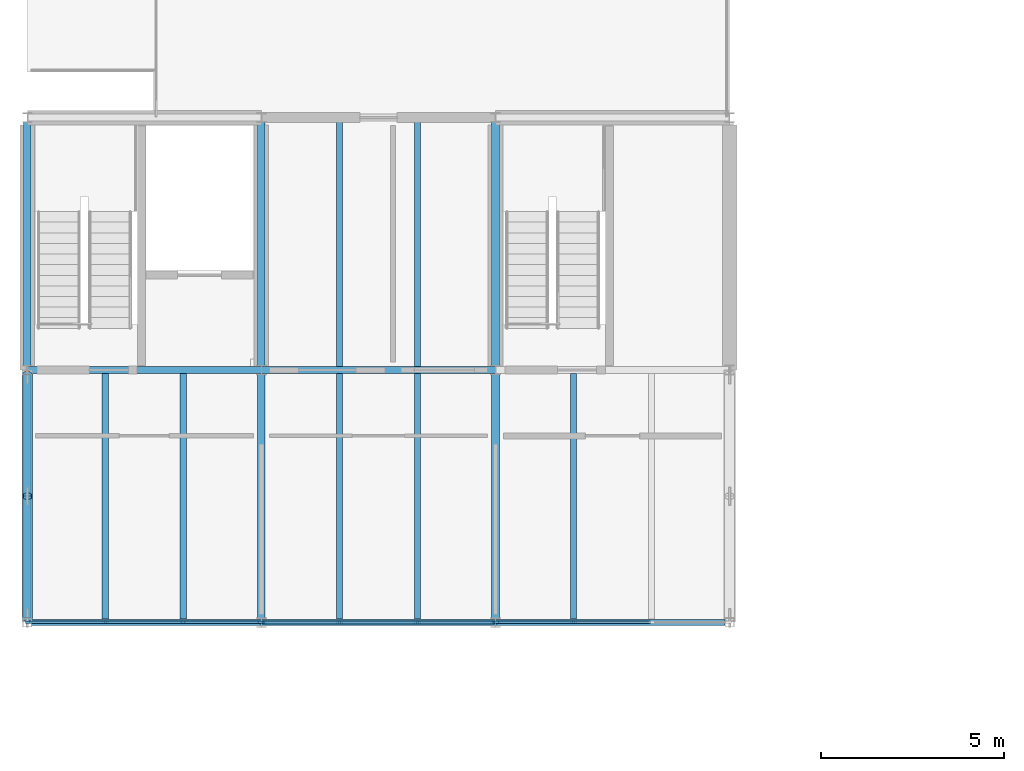
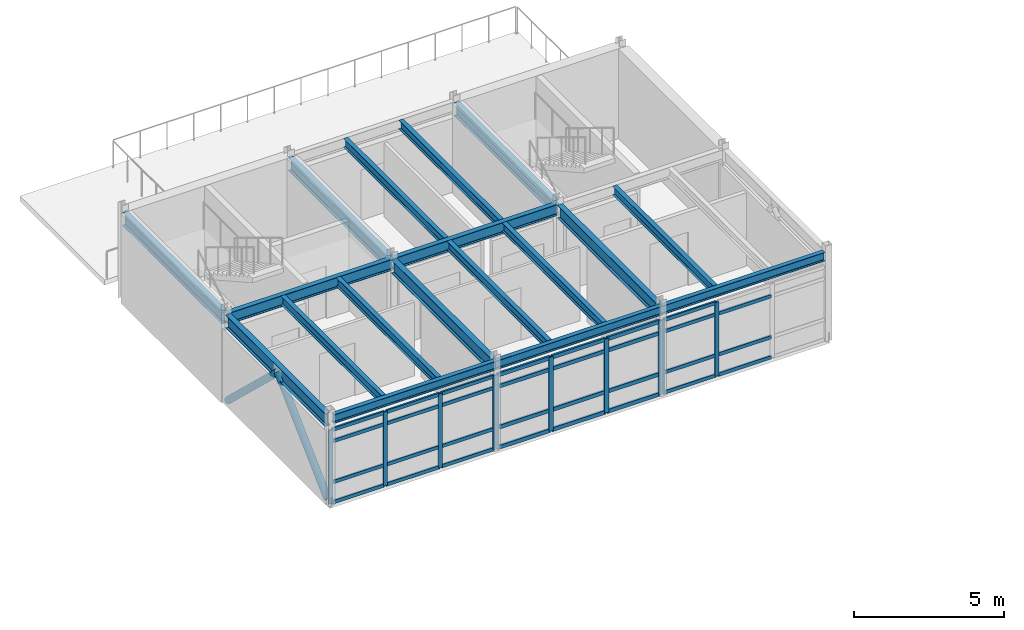
# One storey, part 7 of 20: 43 members, 18 beams, 3 elements without a shape of their own.
"""IFC4 building model written with IfcOpenShell, lengths in metres."""

from ifc_helpers import new_model, si_unit, direction, frame, origin, origin_2d, place, context, subcontext, project, spatial, rectangle, hollow_circle, i_section, extrude, material, layer, layer_set, material_profile, profile_set, type_object, element, aggregate, save


model = new_model("IFC4")

# Units and contexts
model_context = context("Model", 3, precision=1e-05, world=origin(), true_north=direction((0.0, 1.0)))
body_context = subcontext(model_context, "Body", "Model", "MODEL_VIEW")
ifc_project = project(units=[si_unit("LENGTHUNIT", "METRE"), si_unit("AREAUNIT", "SQUARE_METRE"), si_unit("VOLUMEUNIT", "CUBIC_METRE"), si_unit("PLANEANGLEUNIT", "RADIAN"), si_unit("MASSUNIT", "GRAM", prefix="KILO")], contexts=[model_context])

# Site, building, storey
site_placement = place(None, origin())
site = spatial("IfcSite", under=ifc_project, at=site_placement, CompositionType="ELEMENT")
building_placement = place(site_placement, origin())
building = spatial("IfcBuilding", under=site, at=building_placement, Name="Trelmorton Wharf Fire Station", CompositionType="ELEMENT")
storey_placement = place(building_placement, frame((0.0, 0.0, 21.300048828125)))
storey = spatial("IfcBuildingStorey", under=building, at=storey_placement, Name="L05", CompositionType="ELEMENT", Elevation=21.300048828125)

# Beams
ifc_material_1 = material(Name="Steel Grade 350", Category="steel")
ifc_material_profile_1 = material_profile(ifc_material_1, i_section(OverallWidth=0.18994140625, OverallDepth=0.45703125, WebThickness=0.009033203125, FlangeThickness=0.014404296875, FilletRadius=0.011474609375, at=origin_2d()), Name="460UB74.6")
ifc_profile_set_1 = profile_set([ifc_material_profile_1], Name="Steel Grade 350")
beam_type_1 = type_object("IfcBeamType", Name="BM_460UB75", PredefinedType="BEAM", material=ifc_profile_set_1)
beam_1_placement = place(storey_placement, frame((70.803955078125, 67.199951171875, 3.4013671875), z_axis=(1.0, 0.0, 0.0), x_axis=(0.0, 1.0, 0.0)))
element("IfcBeam", 1, at=beam_1_placement, inside=storey, type_object=beam_type_1, Name="BM-L05-1155", PredefinedType="BEAM", context=body_context, shape_type="SweptSolid", body=[
    extrude(i_section(OverallWidth=0.18994140625, OverallDepth=0.45703125, WebThickness=0.009033203125, FlangeThickness=0.014404296875, FilletRadius=0.011474609375, at=origin_2d()), origin(), (0.0, 0.0, 1.0), 6.39208984375),
])
beam_2_placement = place(storey_placement, frame((77.2041015625, 67.199951171875, 3.4013671875), z_axis=(1.0, 0.0, 0.0), x_axis=(0.0, 1.0, 0.0)))
element("IfcBeam", 2, at=beam_2_placement, inside=storey, type_object=beam_type_1, Name="BM-L05-1156", PredefinedType="BEAM", context=body_context, shape_type="SweptSolid", body=[
    extrude(i_section(OverallWidth=0.18994140625, OverallDepth=0.45703125, WebThickness=0.009033203125, FlangeThickness=0.014404296875, FilletRadius=0.011474609375, at=origin_2d()), origin(), (0.0, 0.0, 1.0), 6.391845703125),
])
ifc_material_profile_2 = material_profile(ifc_material_1, i_section(OverallWidth=0.208984375, OverallDepth=0.532958984375, WebThickness=0.01025390625, FlangeThickness=0.015625, FilletRadius=0.013916015625, at=origin_2d()), Name="530UB92.4")
ifc_profile_set_2 = profile_set([ifc_material_profile_2], Name="Steel Grade 350")
beam_type_2 = type_object("IfcBeamType", Name="BM_530UB92", PredefinedType="BEAM", material=ifc_profile_set_2)
beam_3_placement = place(storey_placement, frame((70.800048828125, 60.4208984375, 3.363525390625), z_axis=(0.0, 1.0, 0.0), x_axis=(-1.0, 0.0, 0.0)))
element("IfcBeam", 3, at=beam_3_placement, inside=storey, type_object=beam_type_2, Name="BM-L05-1161", PredefinedType="BEAM", context=body_context, shape_type="SweptSolid", body=[
    extrude(i_section(OverallWidth=0.208984375, OverallDepth=0.532958984375, WebThickness=0.01025390625, FlangeThickness=0.015625, FilletRadius=0.013916015625, at=origin_2d()), origin(), (0.0, 0.0, 1.0), 6.653076171875),
])
beam_4_placement = place(storey_placement, frame((70.800048828125, 67.325927734375, 3.363525390625), z_axis=(0.0, 1.0, 0.0), x_axis=(-1.0, 0.0, 0.0)))
element("IfcBeam", 4, at=beam_4_placement, inside=storey, type_object=beam_type_2, Name="BM-L05-1162", PredefinedType="BEAM", context=body_context, shape_type="SweptSolid", body=[
    extrude(i_section(OverallWidth=0.208984375, OverallDepth=0.532958984375, WebThickness=0.01025390625, FlangeThickness=0.015625, FilletRadius=0.013916015625, at=origin_2d()), origin(), (0.0, 0.0, 1.0), 6.648193359375),
])
beam_5_placement = place(storey_placement, frame((77.199951171875, 60.426025390625, 3.363525390625), z_axis=(0.0, 1.0, 0.0), x_axis=(-1.0, 0.0, 0.0)))
element("IfcBeam", 5, at=beam_5_placement, inside=storey, type_object=beam_type_2, Name="BM-L05-1163", PredefinedType="BEAM", context=body_context, shape_type="SweptSolid", body=[
    extrude(i_section(OverallWidth=0.208984375, OverallDepth=0.532958984375, WebThickness=0.01025390625, FlangeThickness=0.015625, FilletRadius=0.013916015625, at=origin_2d()), origin(), (0.0, 0.0, 1.0), 6.64794921875),
])
beam_6_placement = place(storey_placement, frame((77.199951171875, 67.325927734375, 3.363525390625), z_axis=(0.0, 1.0, 0.0), x_axis=(-1.0, 0.0, 0.0)))
element("IfcBeam", 6, at=beam_6_placement, inside=storey, type_object=beam_type_2, Name="BM-L05-1164", PredefinedType="BEAM", context=body_context, shape_type="SweptSolid", body=[
    extrude(i_section(OverallWidth=0.208984375, OverallDepth=0.532958984375, WebThickness=0.01025390625, FlangeThickness=0.015625, FilletRadius=0.013916015625, at=origin_2d()), origin(), (0.0, 0.0, 1.0), 6.648193359375),
])
beam_7_placement = place(storey_placement, frame((83.60009765625, 60.426025390625, 3.363525390625), z_axis=(0.0, 1.0, 0.0), x_axis=(-1.0, 0.0, 0.0)))
element("IfcBeam", 7, at=beam_7_placement, inside=storey, type_object=beam_type_2, Name="BM-L05-1165", PredefinedType="BEAM", context=body_context, shape_type="SweptSolid", body=[
    extrude(i_section(OverallWidth=0.208984375, OverallDepth=0.532958984375, WebThickness=0.01025390625, FlangeThickness=0.015625, FilletRadius=0.013916015625, at=origin_2d()), origin(), (0.0, 0.0, 1.0), 6.64794921875),
])
beam_8_placement = place(storey_placement, frame((83.60009765625, 67.325927734375, 3.363525390625), z_axis=(0.0, 1.0, 0.0), x_axis=(-1.0, 0.0, 0.0)))
element("IfcBeam", 8, at=beam_8_placement, inside=storey, type_object=beam_type_2, Name="BM-L05-1166", PredefinedType="BEAM", context=body_context, shape_type="SweptSolid", body=[
    extrude(i_section(OverallWidth=0.208984375, OverallDepth=0.532958984375, WebThickness=0.01025390625, FlangeThickness=0.015625, FilletRadius=0.013916015625, at=origin_2d()), origin(), (0.0, 0.0, 1.0), 6.648193359375),
])

# Members
ifc_material_2 = material(Name="Steel C350L0 (350 MPa)", Category="steel")
ifc_material_profile_3 = material_profile(ifc_material_2, hollow_circle(Radius=0.136474609375, WallThickness=0.00927734375, at=origin_2d()), Name="273.1x9.3CHS")
ifc_profile_set_3 = profile_set([ifc_material_profile_3], Name="Steel C350L0 (350 MPa)")
member_type_1 = type_object("IfcMemberType", Name="BR_273CHS", PredefinedType="BRACE", material=ifc_profile_set_3)
member_1_placement = place(storey_placement, frame((70.800048828125, 60.422119140625, 0.119873046875), z_axis=(0.0, 0.725144192086, 0.68859705248), x_axis=(-1.0, 0.0, 0.0)))
element("IfcMember", 9, at=member_1_placement, inside=storey, type_object=member_type_1, Name="CBF-V2-W-L05-A", PredefinedType="BRACE", context=body_context, shape_type="SweptSolid", body=[
    extrude(hollow_circle(Radius=0.136474609375, WallThickness=0.00927734375, at=origin_2d()), origin(), (0.0, 0.0, 1.0), 4.58935546875),
])
member_2_placement = place(storey_placement, frame((70.800048828125, 67.072998046875, 0.119873046875), z_axis=(0.0, -0.724639112653, 0.68912854854), x_axis=(1.0, 0.0, 0.0)))
element("IfcMember", 10, at=member_2_placement, inside=storey, type_object=member_type_1, Name="CBF-V2-W-L05-B", PredefinedType="BRACE", context=body_context, shape_type="SweptSolid", body=[
    extrude(hollow_circle(Radius=0.136474609375, WallThickness=0.00927734375, at=origin_2d()), origin(), (0.0, 0.0, 1.0), 4.585693359375),
])

# Curtain wall, members
ifc_material_3 = material(Name="Anodised aluminium AW-6063", Category="aluminium")
ifc_layer = layer(ifc_material_3, 0.159912109375)
ifc_layer_set = layer_set([ifc_layer], Name="Anodised aluminium AW-6063")
curtain_wall_type = type_object("IfcCurtainWallType", Name="CW_CHIC_A", PredefinedType="USERDEFINED", material=ifc_layer_set)
curtain_wall_1_placement = place(storey_placement, origin())
curtain_wall_1 = element("IfcCurtainWall", 11, at=curtain_wall_1_placement, inside=storey, type_object=curtain_wall_type, Name="CW-V2-L05-107", ObjectType="CHICAGO BAY CURTAIN WALL", PredefinedType="USERDEFINED")
ifc_material_profile_4 = material_profile(ifc_material_3, rectangle(XDim=0.06494140625, YDim=0.159912109375, at=origin_2d()), Name="ALU-65x160")
ifc_profile_set_4 = profile_set([ifc_material_profile_4], Name="Anodised aluminium AW-6063")
member_type_2 = type_object("IfcMemberType", Name="CWM_65x160", PredefinedType="MULLION", material=ifc_profile_set_4)
member_3_placement = place(storey_placement, frame((77.1650390625, 60.300048828125, 0.0), z_axis=(0.0, 0.0, 1.0), x_axis=(0.0, -1.0, 0.0)))
member_3 = element("IfcMember", 12, at=member_3_placement, type_object=member_type_2, Name="CW1 mullion 1", PredefinedType="MULLION", context=body_context, shape_type="SweptSolid", body=[
    extrude(rectangle(XDim=0.06494140625, YDim=0.159912109375, at=origin_2d()), origin(), (0.0, 0.0, 1.0), 3.02001953125),
])
member_4_placement = place(storey_placement, frame((75.06494140625, 60.300048828125, 0.0), z_axis=(0.0, 0.0, 1.0), x_axis=(0.0, -1.0, 0.0)))
member_4 = element("IfcMember", 13, at=member_4_placement, type_object=member_type_2, Name="CW1 mullion 2", PredefinedType="MULLION", context=body_context, shape_type="SweptSolid", body=[
    extrude(rectangle(XDim=0.06494140625, YDim=0.159912109375, at=origin_2d()), origin(), (0.0, 0.0, 1.0), 3.02001953125),
])
member_5_placement = place(storey_placement, frame((72.93505859375, 60.300048828125, 0.0), z_axis=(0.0, 0.0, 1.0), x_axis=(0.0, -1.0, 0.0)))
member_5 = element("IfcMember", 14, at=member_5_placement, type_object=member_type_2, Name="CW1 mullion 3", PredefinedType="MULLION", context=body_context, shape_type="SweptSolid", body=[
    extrude(rectangle(XDim=0.06494140625, YDim=0.159912109375, at=origin_2d()), origin(), (0.0, 0.0, 1.0), 3.02001953125),
])
member_6_placement = place(storey_placement, frame((70.8349609375, 60.300048828125, 0.0), z_axis=(0.0, 0.0, 1.0), x_axis=(0.0, -1.0, 0.0)))
member_6 = element("IfcMember", 15, at=member_6_placement, type_object=member_type_2, Name="CW1 mullion 4", PredefinedType="MULLION", context=body_context, shape_type="SweptSolid", body=[
    extrude(rectangle(XDim=0.06494140625, YDim=0.159912109375, at=origin_2d()), origin(), (0.0, 0.0, 1.0), 3.02001953125),
])

curtain_wall_2_placement = place(storey_placement, origin())
curtain_wall_2 = element("IfcCurtainWall", 16, at=curtain_wall_2_placement, inside=storey, type_object=curtain_wall_type, Name="CW-V2-L05-109", ObjectType="CHICAGO BAY CURTAIN WALL", PredefinedType="USERDEFINED")
member_7_placement = place(storey_placement, frame((85.735107421875, 60.300048828125, 0.0), z_axis=(0.0, 0.0, 1.0), x_axis=(0.0, -1.0, 0.0)))
member_7 = element("IfcMember", 17, at=member_7_placement, type_object=member_type_2, Name="CW1 mullion 3", PredefinedType="MULLION", context=body_context, shape_type="SweptSolid", body=[
    extrude(rectangle(XDim=0.06494140625, YDim=0.159912109375, at=origin_2d()), origin(), (0.0, 0.0, 1.0), 3.02001953125),
])
member_8_placement = place(storey_placement, frame((83.635009765625, 60.300048828125, 0.0), z_axis=(0.0, 0.0, 1.0), x_axis=(0.0, -1.0, 0.0)))
member_8 = element("IfcMember", 18, at=member_8_placement, type_object=member_type_2, Name="CW1 mullion 4", PredefinedType="MULLION", context=body_context, shape_type="SweptSolid", body=[
    extrude(rectangle(XDim=0.06494140625, YDim=0.159912109375, at=origin_2d()), origin(), (0.0, 0.0, 1.0), 3.02001953125),
])

curtain_wall_3_placement = place(storey_placement, origin())
curtain_wall_3 = element("IfcCurtainWall", 19, at=curtain_wall_3_placement, inside=storey, type_object=curtain_wall_type, Name="CW-V2-L05-108", ObjectType="CHICAGO BAY CURTAIN WALL", PredefinedType="USERDEFINED")
ifc_material_profile_5 = material_profile(ifc_material_3, rectangle(XDim=0.074951171875, YDim=0.175048828125, at=origin_2d()), Name="ALU-75x175")
ifc_profile_set_5 = profile_set([ifc_material_profile_5], Name="Anodised aluminium AW-6063")
member_type_3 = type_object("IfcMemberType", Name="CWM_75x175", PredefinedType="MULLION", material=ifc_profile_set_5)
member_9_placement = place(storey_placement, frame((83.56494140625, 60.300048828125, 0.0), z_axis=(0.0, 0.0, 1.0), x_axis=(0.0, -1.0, 0.0)))
member_9 = element("IfcMember", 20, at=member_9_placement, type_object=member_type_3, Name="CW1 mullion 1", PredefinedType="MULLION", context=body_context, shape_type="SweptSolid", body=[
    extrude(rectangle(XDim=0.074951171875, YDim=0.175048828125, at=origin_2d()), origin(), (0.0, 0.0, 1.0), 3.02001953125),
])
member_10_placement = place(storey_placement, frame((81.465087890625, 60.300048828125, 0.0), z_axis=(0.0, 0.0, 1.0), x_axis=(0.0, -1.0, 0.0)))
member_10 = element("IfcMember", 21, at=member_10_placement, type_object=member_type_3, Name="CW1 mullion 2", PredefinedType="MULLION", context=body_context, shape_type="SweptSolid", body=[
    extrude(rectangle(XDim=0.074951171875, YDim=0.175048828125, at=origin_2d()), origin(), (0.0, 0.0, 1.0), 3.02001953125),
])
member_11_placement = place(storey_placement, frame((79.3349609375, 60.300048828125, 0.0), z_axis=(0.0, 0.0, 1.0), x_axis=(0.0, -1.0, 0.0)))
member_11 = element("IfcMember", 22, at=member_11_placement, type_object=member_type_3, Name="CW1 mullion 3", PredefinedType="MULLION", context=body_context, shape_type="SweptSolid", body=[
    extrude(rectangle(XDim=0.074951171875, YDim=0.175048828125, at=origin_2d()), origin(), (0.0, 0.0, 1.0), 3.02001953125),
])
member_12_placement = place(storey_placement, frame((77.235107421875, 60.300048828125, 0.0), z_axis=(0.0, 0.0, 1.0), x_axis=(0.0, -1.0, 0.0)))
member_12 = element("IfcMember", 23, at=member_12_placement, type_object=member_type_3, Name="CW1 mullion 4", PredefinedType="MULLION", context=body_context, shape_type="SweptSolid", body=[
    extrude(rectangle(XDim=0.074951171875, YDim=0.175048828125, at=origin_2d()), origin(), (0.0, 0.0, 1.0), 3.02001953125),
])

# Member
ifc_material_profile_6 = material_profile(ifc_material_3, rectangle(XDim=0.06494140625, YDim=0.139892578125, at=origin_2d()), Name="ALU-65x140")
ifc_profile_set_6 = profile_set([ifc_material_profile_6], Name="Anodised aluminium AW-6063")
member_type_4 = type_object("IfcMemberType", Name="CWT_65x140", PredefinedType="USERDEFINED", material=ifc_profile_set_6)
member_13_placement = place(storey_placement, frame((77.135009765625, 60.300048828125, 0.030029296875), z_axis=(-1.0, 0.0, 0.0), x_axis=(0.0, -1.0, 0.0)))
member_13 = element("IfcMember", 24, at=member_13_placement, type_object=member_type_4, Name="CW1 transom 1.1", ObjectType="TRANSOM", PredefinedType="USERDEFINED", context=body_context, shape_type="SweptSolid", body=[
    extrude(rectangle(XDim=0.06494140625, YDim=0.139892578125, at=origin_2d()), origin(), (0.0, 0.0, 1.0), 2.0400390625),
])

member_14_placement = place(storey_placement, frame((77.135009765625, 60.300048828125, 0.849853515625), z_axis=(-1.0, 0.0, 0.0), x_axis=(0.0, -1.0, 0.0)))
member_14 = element("IfcMember", 25, at=member_14_placement, type_object=member_type_4, Name="CW1 transom 1.2", ObjectType="TRANSOM", PredefinedType="USERDEFINED", context=body_context, shape_type="SweptSolid", body=[
    extrude(rectangle(XDim=0.06494140625, YDim=0.139892578125, at=origin_2d()), origin(), (0.0, 0.0, 1.0), 2.0400390625),
])

member_15_placement = place(storey_placement, frame((77.135009765625, 60.300048828125, 2.52001953125), z_axis=(-1.0, 0.0, 0.0), x_axis=(0.0, -1.0, 0.0)))
member_15 = element("IfcMember", 26, at=member_15_placement, type_object=member_type_4, Name="CW1 transom 1.3", ObjectType="TRANSOM", PredefinedType="USERDEFINED", context=body_context, shape_type="SweptSolid", body=[
    extrude(rectangle(XDim=0.06494140625, YDim=0.139892578125, at=origin_2d()), origin(), (0.0, 0.0, 1.0), 2.0400390625),
])

member_16_placement = place(storey_placement, frame((77.135009765625, 60.300048828125, 2.989990234375), z_axis=(-1.0, 0.0, 0.0), x_axis=(0.0, -1.0, 0.0)))
member_16 = element("IfcMember", 27, at=member_16_placement, type_object=member_type_4, Name="CW1 transom 1.4", ObjectType="TRANSOM", PredefinedType="USERDEFINED", context=body_context, shape_type="SweptSolid", body=[
    extrude(rectangle(XDim=0.06494140625, YDim=0.139892578125, at=origin_2d()), origin(), (0.0, 0.0, 1.0), 2.0400390625),
])

member_17_placement = place(storey_placement, frame((75.034912109375, 60.300048828125, 0.030029296875), z_axis=(-1.0, 0.0, 0.0), x_axis=(0.0, -1.0, 0.0)))
member_17 = element("IfcMember", 28, at=member_17_placement, type_object=member_type_4, Name="CW1 transom 2.1", ObjectType="TRANSOM", PredefinedType="USERDEFINED", context=body_context, shape_type="SweptSolid", body=[
    extrude(rectangle(XDim=0.06494140625, YDim=0.139892578125, at=origin_2d()), origin(), (0.0, 0.0, 1.0), 2.06982421875),
])

member_18_placement = place(storey_placement, frame((75.034912109375, 60.300048828125, 0.849853515625), z_axis=(-1.0, 0.0, 0.0), x_axis=(0.0, -1.0, 0.0)))
member_18 = element("IfcMember", 29, at=member_18_placement, type_object=member_type_4, Name="CW1 transom 2.2", ObjectType="TRANSOM", PredefinedType="USERDEFINED", context=body_context, shape_type="SweptSolid", body=[
    extrude(rectangle(XDim=0.06494140625, YDim=0.139892578125, at=origin_2d()), origin(), (0.0, 0.0, 1.0), 2.06982421875),
])

member_19_placement = place(storey_placement, frame((75.034912109375, 60.300048828125, 2.52001953125), z_axis=(-1.0, 0.0, 0.0), x_axis=(0.0, -1.0, 0.0)))
member_19 = element("IfcMember", 30, at=member_19_placement, type_object=member_type_4, Name="CW1 transom 2.3", ObjectType="TRANSOM", PredefinedType="USERDEFINED", context=body_context, shape_type="SweptSolid", body=[
    extrude(rectangle(XDim=0.06494140625, YDim=0.139892578125, at=origin_2d()), origin(), (0.0, 0.0, 1.0), 2.06982421875),
])

member_20_placement = place(storey_placement, frame((75.034912109375, 60.300048828125, 2.989990234375), z_axis=(-1.0, 0.0, 0.0), x_axis=(0.0, -1.0, 0.0)))
member_20 = element("IfcMember", 31, at=member_20_placement, type_object=member_type_4, Name="CW1 transom 2.4", ObjectType="TRANSOM", PredefinedType="USERDEFINED", context=body_context, shape_type="SweptSolid", body=[
    extrude(rectangle(XDim=0.06494140625, YDim=0.139892578125, at=origin_2d()), origin(), (0.0, 0.0, 1.0), 2.06982421875),
])

member_21_placement = place(storey_placement, frame((72.905029296875, 60.300048828125, 0.030029296875), z_axis=(-1.0, 0.0, 0.0), x_axis=(0.0, -1.0, 0.0)))
member_21 = element("IfcMember", 32, at=member_21_placement, type_object=member_type_4, Name="CW1 transom 3.1", ObjectType="TRANSOM", PredefinedType="USERDEFINED", context=body_context, shape_type="SweptSolid", body=[
    extrude(rectangle(XDim=0.06494140625, YDim=0.139892578125, at=origin_2d()), origin(), (0.0, 0.0, 1.0), 2.0400390625),
])

member_22_placement = place(storey_placement, frame((72.905029296875, 60.300048828125, 0.849853515625), z_axis=(-1.0, 0.0, 0.0), x_axis=(0.0, -1.0, 0.0)))
member_22 = element("IfcMember", 33, at=member_22_placement, type_object=member_type_4, Name="CW1 transom 3.2", ObjectType="TRANSOM", PredefinedType="USERDEFINED", context=body_context, shape_type="SweptSolid", body=[
    extrude(rectangle(XDim=0.06494140625, YDim=0.139892578125, at=origin_2d()), origin(), (0.0, 0.0, 1.0), 2.0400390625),
])

member_23_placement = place(storey_placement, frame((72.905029296875, 60.300048828125, 2.52001953125), z_axis=(-1.0, 0.0, 0.0), x_axis=(0.0, -1.0, 0.0)))
member_23 = element("IfcMember", 34, at=member_23_placement, type_object=member_type_4, Name="CW1 transom 3.3", ObjectType="TRANSOM", PredefinedType="USERDEFINED", context=body_context, shape_type="SweptSolid", body=[
    extrude(rectangle(XDim=0.06494140625, YDim=0.139892578125, at=origin_2d()), origin(), (0.0, 0.0, 1.0), 2.0400390625),
])

member_24_placement = place(storey_placement, frame((72.905029296875, 60.300048828125, 2.989990234375), z_axis=(-1.0, 0.0, 0.0), x_axis=(0.0, -1.0, 0.0)))
member_24 = element("IfcMember", 35, at=member_24_placement, type_object=member_type_4, Name="CW1 transom 3.4", ObjectType="TRANSOM", PredefinedType="USERDEFINED", context=body_context, shape_type="SweptSolid", body=[
    extrude(rectangle(XDim=0.06494140625, YDim=0.139892578125, at=origin_2d()), origin(), (0.0, 0.0, 1.0), 2.0400390625),
])

aggregate(curtain_wall_1, [member_3, member_4, member_5, member_6, member_13, member_14, member_15, member_16, member_17, member_18, member_19, member_20, member_21, member_22, member_23, member_24])

member_25_placement = place(storey_placement, frame((87.8349609375, 60.300048828125, 0.030029296875), z_axis=(-1.0, 0.0, 0.0), x_axis=(0.0, -1.0, 0.0)))
member_25 = element("IfcMember", 36, at=member_25_placement, type_object=member_type_4, Name="CW1 transom 2.1", ObjectType="TRANSOM", PredefinedType="USERDEFINED", context=body_context, shape_type="SweptSolid", body=[
    extrude(rectangle(XDim=0.06494140625, YDim=0.139892578125, at=origin_2d()), origin(), (0.0, 0.0, 1.0), 2.070068359375),
])

member_26_placement = place(storey_placement, frame((87.8349609375, 60.300048828125, 0.849853515625), z_axis=(-1.0, 0.0, 0.0), x_axis=(0.0, -1.0, 0.0)))
member_26 = element("IfcMember", 37, at=member_26_placement, type_object=member_type_4, Name="CW1 transom 2.2", ObjectType="TRANSOM", PredefinedType="USERDEFINED", context=body_context, shape_type="SweptSolid", body=[
    extrude(rectangle(XDim=0.06494140625, YDim=0.139892578125, at=origin_2d()), origin(), (0.0, 0.0, 1.0), 2.070068359375),
])

member_27_placement = place(storey_placement, frame((87.8349609375, 60.300048828125, 2.52001953125), z_axis=(-1.0, 0.0, 0.0), x_axis=(0.0, -1.0, 0.0)))
member_27 = element("IfcMember", 38, at=member_27_placement, type_object=member_type_4, Name="CW1 transom 2.3", ObjectType="TRANSOM", PredefinedType="USERDEFINED", context=body_context, shape_type="SweptSolid", body=[
    extrude(rectangle(XDim=0.06494140625, YDim=0.139892578125, at=origin_2d()), origin(), (0.0, 0.0, 1.0), 2.070068359375),
])

member_28_placement = place(storey_placement, frame((85.705078125, 60.300048828125, 0.030029296875), z_axis=(-1.0, 0.0, 0.0), x_axis=(0.0, -1.0, 0.0)))
member_28 = element("IfcMember", 39, at=member_28_placement, type_object=member_type_4, Name="CW1 transom 3.1", ObjectType="TRANSOM", PredefinedType="USERDEFINED", context=body_context, shape_type="SweptSolid", body=[
    extrude(rectangle(XDim=0.06494140625, YDim=0.139892578125, at=origin_2d()), origin(), (0.0, 0.0, 1.0), 2.0400390625),
])

member_29_placement = place(storey_placement, frame((85.705078125, 60.300048828125, 0.849853515625), z_axis=(-1.0, 0.0, 0.0), x_axis=(0.0, -1.0, 0.0)))
member_29 = element("IfcMember", 40, at=member_29_placement, type_object=member_type_4, Name="CW1 transom 3.2", ObjectType="TRANSOM", PredefinedType="USERDEFINED", context=body_context, shape_type="SweptSolid", body=[
    extrude(rectangle(XDim=0.06494140625, YDim=0.139892578125, at=origin_2d()), origin(), (0.0, 0.0, 1.0), 2.0400390625),
])

member_30_placement = place(storey_placement, frame((85.705078125, 60.300048828125, 2.52001953125), z_axis=(-1.0, 0.0, 0.0), x_axis=(0.0, -1.0, 0.0)))
member_30 = element("IfcMember", 41, at=member_30_placement, type_object=member_type_4, Name="CW1 transom 3.3", ObjectType="TRANSOM", PredefinedType="USERDEFINED", context=body_context, shape_type="SweptSolid", body=[
    extrude(rectangle(XDim=0.06494140625, YDim=0.139892578125, at=origin_2d()), origin(), (0.0, 0.0, 1.0), 2.0400390625),
])

member_31_placement = place(storey_placement, frame((85.705078125, 60.300048828125, 2.989990234375), z_axis=(-1.0, 0.0, 0.0), x_axis=(0.0, -1.0, 0.0)))
member_31 = element("IfcMember", 42, at=member_31_placement, type_object=member_type_4, Name="CW1 transom 3.4", ObjectType="TRANSOM", PredefinedType="USERDEFINED", context=body_context, shape_type="SweptSolid", body=[
    extrude(rectangle(XDim=0.06494140625, YDim=0.139892578125, at=origin_2d()), origin(), (0.0, 0.0, 1.0), 2.0400390625),
])

aggregate(curtain_wall_2, [member_7, member_8, member_25, member_26, member_27, member_28, member_29, member_30, member_31])

ifc_material_profile_7 = material_profile(ifc_material_3, rectangle(XDim=0.074951171875, YDim=0.155029296875, at=origin_2d()), Name="ALU-75x155")
ifc_profile_set_7 = profile_set([ifc_material_profile_7], Name="Anodised aluminium AW-6063")
member_type_5 = type_object("IfcMemberType", Name="CWT_75x155", PredefinedType="USERDEFINED", material=ifc_profile_set_7)
member_32_placement = place(storey_placement, frame((83.534912109375, 60.300048828125, 0.030029296875), z_axis=(-1.0, 0.0, 0.0), x_axis=(0.0, -1.0, 0.0)))
member_32 = element("IfcMember", 43, at=member_32_placement, type_object=member_type_5, Name="CW1 transom 1.1", ObjectType="TRANSOM", PredefinedType="USERDEFINED", context=body_context, shape_type="SweptSolid", body=[
    extrude(rectangle(XDim=0.074951171875, YDim=0.155029296875, at=origin_2d()), origin(), (0.0, 0.0, 1.0), 2.039794921875),
])

member_33_placement = place(storey_placement, frame((83.534912109375, 60.300048828125, 0.849853515625), z_axis=(-1.0, 0.0, 0.0), x_axis=(0.0, -1.0, 0.0)))
member_33 = element("IfcMember", 44, at=member_33_placement, type_object=member_type_5, Name="CW1 transom 1.2", ObjectType="TRANSOM", PredefinedType="USERDEFINED", context=body_context, shape_type="SweptSolid", body=[
    extrude(rectangle(XDim=0.074951171875, YDim=0.155029296875, at=origin_2d()), origin(), (0.0, 0.0, 1.0), 2.039794921875),
])

member_34_placement = place(storey_placement, frame((83.534912109375, 60.300048828125, 2.52001953125), z_axis=(-1.0, 0.0, 0.0), x_axis=(0.0, -1.0, 0.0)))
member_34 = element("IfcMember", 45, at=member_34_placement, type_object=member_type_5, Name="CW1 transom 1.3", ObjectType="TRANSOM", PredefinedType="USERDEFINED", context=body_context, shape_type="SweptSolid", body=[
    extrude(rectangle(XDim=0.074951171875, YDim=0.155029296875, at=origin_2d()), origin(), (0.0, 0.0, 1.0), 2.039794921875),
])

member_35_placement = place(storey_placement, frame((83.534912109375, 60.300048828125, 2.989990234375), z_axis=(-1.0, 0.0, 0.0), x_axis=(0.0, -1.0, 0.0)))
member_35 = element("IfcMember", 46, at=member_35_placement, type_object=member_type_5, Name="CW1 transom 1.4", ObjectType="TRANSOM", PredefinedType="USERDEFINED", context=body_context, shape_type="SweptSolid", body=[
    extrude(rectangle(XDim=0.074951171875, YDim=0.155029296875, at=origin_2d()), origin(), (0.0, 0.0, 1.0), 2.039794921875),
])

member_36_placement = place(storey_placement, frame((81.43505859375, 60.300048828125, 0.030029296875), z_axis=(-1.0, 0.0, 0.0), x_axis=(0.0, -1.0, 0.0)))
member_36 = element("IfcMember", 47, at=member_36_placement, type_object=member_type_5, Name="CW1 transom 2.1", ObjectType="TRANSOM", PredefinedType="USERDEFINED", context=body_context, shape_type="SweptSolid", body=[
    extrude(rectangle(XDim=0.074951171875, YDim=0.155029296875, at=origin_2d()), origin(), (0.0, 0.0, 1.0), 2.070068359375),
])

member_37_placement = place(storey_placement, frame((81.43505859375, 60.300048828125, 0.849853515625), z_axis=(-1.0, 0.0, 0.0), x_axis=(0.0, -1.0, 0.0)))
member_37 = element("IfcMember", 48, at=member_37_placement, type_object=member_type_5, Name="CW1 transom 2.2", ObjectType="TRANSOM", PredefinedType="USERDEFINED", context=body_context, shape_type="SweptSolid", body=[
    extrude(rectangle(XDim=0.074951171875, YDim=0.155029296875, at=origin_2d()), origin(), (0.0, 0.0, 1.0), 2.070068359375),
])

member_38_placement = place(storey_placement, frame((81.43505859375, 60.300048828125, 2.52001953125), z_axis=(-1.0, 0.0, 0.0), x_axis=(0.0, -1.0, 0.0)))
member_38 = element("IfcMember", 49, at=member_38_placement, type_object=member_type_5, Name="CW1 transom 2.3", ObjectType="TRANSOM", PredefinedType="USERDEFINED", context=body_context, shape_type="SweptSolid", body=[
    extrude(rectangle(XDim=0.074951171875, YDim=0.155029296875, at=origin_2d()), origin(), (0.0, 0.0, 1.0), 2.070068359375),
])

member_39_placement = place(storey_placement, frame((81.43505859375, 60.300048828125, 2.989990234375), z_axis=(-1.0, 0.0, 0.0), x_axis=(0.0, -1.0, 0.0)))
member_39 = element("IfcMember", 50, at=member_39_placement, type_object=member_type_5, Name="CW1 transom 2.4", ObjectType="TRANSOM", PredefinedType="USERDEFINED", context=body_context, shape_type="SweptSolid", body=[
    extrude(rectangle(XDim=0.074951171875, YDim=0.155029296875, at=origin_2d()), origin(), (0.0, 0.0, 1.0), 2.070068359375),
])

member_40_placement = place(storey_placement, frame((79.304931640625, 60.300048828125, 0.030029296875), z_axis=(-1.0, 0.0, 0.0), x_axis=(0.0, -1.0, 0.0)))
member_40 = element("IfcMember", 51, at=member_40_placement, type_object=member_type_5, Name="CW1 transom 3.1", ObjectType="TRANSOM", PredefinedType="USERDEFINED", context=body_context, shape_type="SweptSolid", body=[
    extrude(rectangle(XDim=0.074951171875, YDim=0.155029296875, at=origin_2d()), origin(), (0.0, 0.0, 1.0), 2.0400390625),
])

member_41_placement = place(storey_placement, frame((79.304931640625, 60.300048828125, 0.849853515625), z_axis=(-1.0, 0.0, 0.0), x_axis=(0.0, -1.0, 0.0)))
member_41 = element("IfcMember", 52, at=member_41_placement, type_object=member_type_5, Name="CW1 transom 3.2", ObjectType="TRANSOM", PredefinedType="USERDEFINED", context=body_context, shape_type="SweptSolid", body=[
    extrude(rectangle(XDim=0.074951171875, YDim=0.155029296875, at=origin_2d()), origin(), (0.0, 0.0, 1.0), 2.0400390625),
])

member_42_placement = place(storey_placement, frame((79.304931640625, 60.300048828125, 2.52001953125), z_axis=(-1.0, 0.0, 0.0), x_axis=(0.0, -1.0, 0.0)))
member_42 = element("IfcMember", 53, at=member_42_placement, type_object=member_type_5, Name="CW1 transom 3.3", ObjectType="TRANSOM", PredefinedType="USERDEFINED", context=body_context, shape_type="SweptSolid", body=[
    extrude(rectangle(XDim=0.074951171875, YDim=0.155029296875, at=origin_2d()), origin(), (0.0, 0.0, 1.0), 2.0400390625),
])

member_43_placement = place(storey_placement, frame((79.304931640625, 60.300048828125, 2.989990234375), z_axis=(-1.0, 0.0, 0.0), x_axis=(0.0, -1.0, 0.0)))
member_43 = element("IfcMember", 54, at=member_43_placement, type_object=member_type_5, Name="CW1 transom 3.4", ObjectType="TRANSOM", PredefinedType="USERDEFINED", context=body_context, shape_type="SweptSolid", body=[
    extrude(rectangle(XDim=0.074951171875, YDim=0.155029296875, at=origin_2d()), origin(), (0.0, 0.0, 1.0), 2.0400390625),
])

aggregate(curtain_wall_3, [member_9, member_10, member_11, member_12, member_32, member_33, member_34, member_35, member_36, member_37, member_38, member_39, member_40, member_41, member_42, member_43])

# Beams
ifc_material_profile_8 = material_profile(ifc_material_1, i_section(OverallWidth=0.172119140625, OverallDepth=0.35888671875, WebThickness=0.008056640625, FlangeThickness=0.012939453125, FilletRadius=0.011474609375, at=origin_2d()), Name="360UB56.7")
ifc_profile_set_8 = profile_set([ifc_material_profile_8], Name="Steel Grade 350")
beam_type_3 = type_object("IfcBeamType", Name="JS_360UB57", PredefinedType="JOIST", material=ifc_profile_set_8)
for number, where, z_axis, x_axis, name in (
    (55, (72.933349609375, 60.389892578125, 3.450439453125), (0.0, 1.0, 0.0), (-1.0, 0.0, 0.0), "JS-L05-0411"),
    (56, (75.066650390625, 60.389892578125, 3.450439453125), (0.0, 1.0, 0.0), (-1.0, 0.0, 0.0), "JS-L05-0412"),
    (57, (79.333251953125, 60.389892578125, 3.450439453125), (0.0, 1.0, 0.0), (-1.0, 0.0, 0.0), "JS-L05-0413"),
    (58, (81.466796875, 60.389892578125, 3.450439453125), (0.0, 1.0, 0.0), (-1.0, 0.0, 0.0), "JS-L05-0414"),
):
    element("IfcBeam", number, at=place(storey_placement, frame(where, z_axis=z_axis, x_axis=x_axis)), inside=storey, type_object=beam_type_3, Name=name, PredefinedType="JOIST", context=body_context, shape_type="SweptSolid", body=[
        extrude(i_section(OverallWidth=0.172119140625, OverallDepth=0.35888671875, WebThickness=0.008056640625, FlangeThickness=0.012939453125, FilletRadius=0.011474609375, at=origin_2d()), origin(), (0.0, 0.0, 1.0), 6.72021484375),
    ])
for number, where, z_axis, x_axis, name in (
    (59, (79.333251953125, 67.2900390625, 3.450439453125), (0.0, 1.0, 0.0), (-1.0, 0.0, 0.0), "JS-L05-0415"),
    (60, (81.466796875, 67.2900390625, 3.450439453125), (0.0, 1.0, 0.0), (-1.0, 0.0, 0.0), "JS-L05-0416"),
):
    element("IfcBeam", number, at=place(storey_placement, frame(where, z_axis=z_axis, x_axis=x_axis)), inside=storey, type_object=beam_type_3, Name=name, PredefinedType="JOIST", context=body_context, shape_type="SweptSolid", body=[
        extrude(i_section(OverallWidth=0.172119140625, OverallDepth=0.35888671875, WebThickness=0.008056640625, FlangeThickness=0.012939453125, FilletRadius=0.011474609375, at=origin_2d()), origin(), (0.0, 0.0, 1.0), 6.719970703125),
    ])
beam_9_placement = place(storey_placement, frame((85.7333984375, 60.389892578125, 3.450439453125), z_axis=(0.0, 1.0, 0.0), x_axis=(-1.0, 0.0, 0.0)))
element("IfcBeam", 61, at=beam_9_placement, inside=storey, type_object=beam_type_3, Name="JS-L05-0417", PredefinedType="JOIST", context=body_context, shape_type="SweptSolid", body=[
    extrude(i_section(OverallWidth=0.172119140625, OverallDepth=0.35888671875, WebThickness=0.008056640625, FlangeThickness=0.012939453125, FilletRadius=0.011474609375, at=origin_2d()), origin(), (0.0, 0.0, 1.0), 6.72021484375),
])
ifc_material_profile_9 = material_profile(ifc_material_1, i_section(OverallWidth=0.1708984375, OverallDepth=0.35595703125, WebThickness=0.00732421875, FlangeThickness=0.011474609375, FilletRadius=0.011474609375, at=origin_2d()), Name="360UB50.7")
ifc_profile_set_9 = profile_set([ifc_material_profile_9], Name="Steel Grade 350")
beam_type_4 = type_object("IfcBeamType", Name="SP_360UB51", PredefinedType="SPANDREL", material=ifc_profile_set_9)
beam_10_placement = place(storey_placement, frame((70.9208984375, 60.300048828125, 3.451904296875), z_axis=(1.0, 0.0, 0.0), x_axis=(0.0, 1.0, 0.0)))
element("IfcBeam", 62, at=beam_10_placement, inside=storey, type_object=beam_type_4, Name="BM-L05-1152", PredefinedType="SPANDREL", context=body_context, shape_type="SweptSolid", body=[
    extrude(i_section(OverallWidth=0.1708984375, OverallDepth=0.35595703125, WebThickness=0.00732421875, FlangeThickness=0.011474609375, FilletRadius=0.011474609375, at=origin_2d()), origin(), (0.0, 0.0, 1.0), 6.275146484375),
])
beam_11_placement = place(storey_placement, frame((77.2041015625, 60.300048828125, 3.451904296875), z_axis=(1.0, 0.0, 0.0), x_axis=(0.0, 1.0, 0.0)))
element("IfcBeam", 63, at=beam_11_placement, inside=storey, type_object=beam_type_4, Name="BM-L05-1153", PredefinedType="SPANDREL", context=body_context, shape_type="SweptSolid", body=[
    extrude(i_section(OverallWidth=0.1708984375, OverallDepth=0.35595703125, WebThickness=0.00732421875, FlangeThickness=0.011474609375, FilletRadius=0.011474609375, at=origin_2d()), origin(), (0.0, 0.0, 1.0), 6.391845703125),
])
beam_12_placement = place(storey_placement, frame((83.60400390625, 60.300048828125, 3.451904296875), z_axis=(1.0, 0.0, 0.0), x_axis=(0.0, 1.0, 0.0)))
element("IfcBeam", 64, at=beam_12_placement, inside=storey, type_object=beam_type_4, Name="BM-L05-1154", PredefinedType="SPANDREL", context=body_context, shape_type="SweptSolid", body=[
    extrude(i_section(OverallWidth=0.1708984375, OverallDepth=0.35595703125, WebThickness=0.00732421875, FlangeThickness=0.011474609375, FilletRadius=0.011474609375, at=origin_2d()), origin(), (0.0, 0.0, 1.0), 6.27490234375),
])

save(model, "model.ifc")
